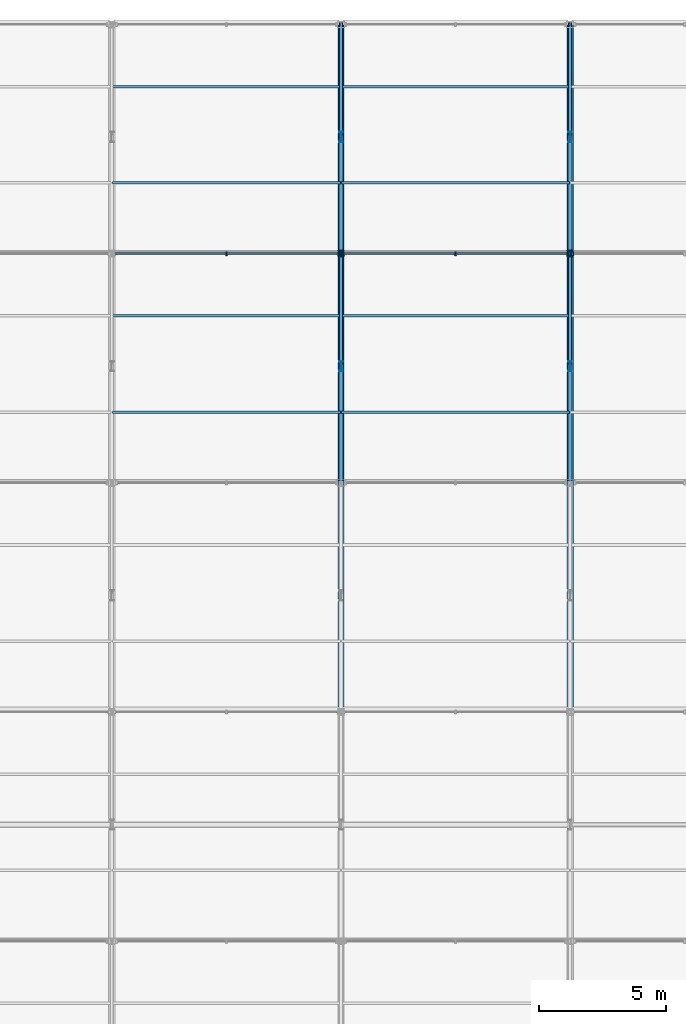
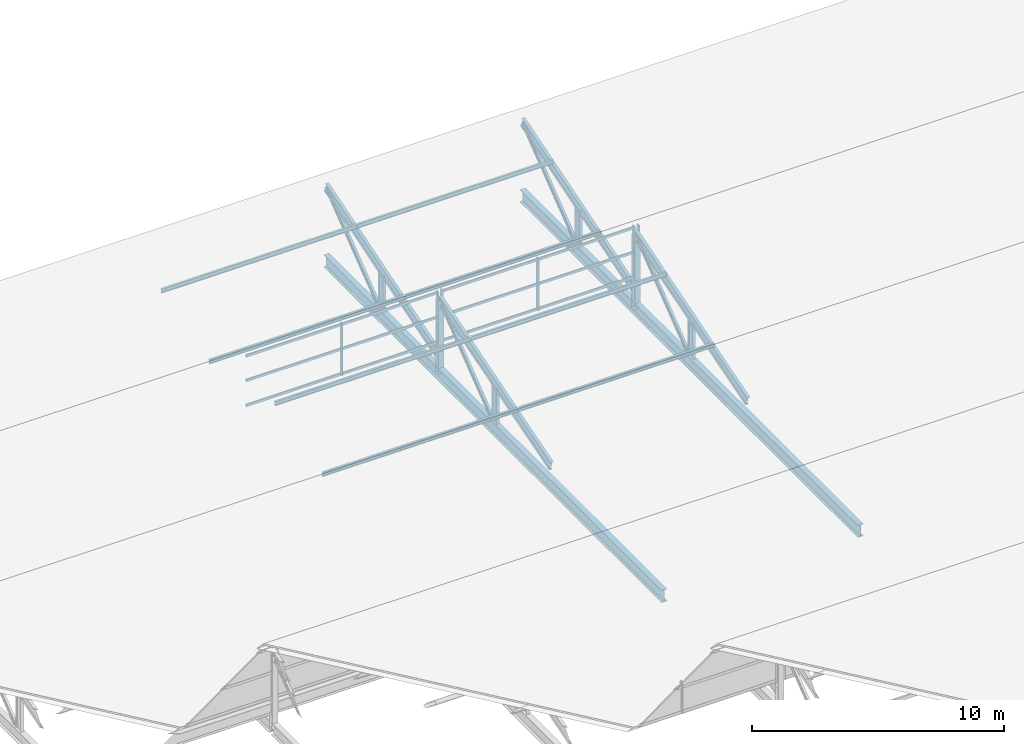
# One storey, part 95 of 163: 40 members, 2 beams, 3 elements without a shape of their own.
"""IFC4 building model written with IfcOpenShell, lengths in metres."""

import ifcopenshell
import ifcopenshell.guid

model = None  # the IFC model being written
_history = None  # IfcOwnerHistory: only IFC2X3 demands one
_inside = {}  # id of a spatial element -> (the spatial element, [elements in it])
_under = {}  # id of a project, library or spatial element -> (it, [spatial elements below it])
_declared = {}  # id of a project -> (the project, [libraries it declares])
_typed = {}  # id of a type object -> (the type object, [elements of that type])
_made_of = {}  # id of a material, layer set ... -> (it, [elements and type objects made of it])


def new_model(schema):
    """Start an empty IFC model of exactly this schema.

    Asked for "IFC4X3", IfcOpenShell would pick the latest addendum, in which some entities
    have other attributes; the version numbers below select the first issue.
    IFC2X3 requires an IfcOwnerHistory on every rooted entity: one is made here for all.
    """
    global model, _history
    if schema == "IFC4X3":
        model = ifcopenshell.file(schema_version=(4, 3, 0, 0))
    else:
        model = ifcopenshell.file(schema=schema)
    _inside.clear()
    _under.clear()
    _declared.clear()
    _typed.clear()
    _made_of.clear()
    _history = None
    if model.schema == "IFC2X3":
        org = make("IfcOrganization", Name="unknown")
        user = make(
            "IfcPersonAndOrganization",
            ThePerson=make("IfcPerson", FamilyName="unknown"),
            TheOrganization=org,
        )
        app = make(
            "IfcApplication",
            ApplicationDeveloper=org,
            Version="unknown",
            ApplicationFullName="unknown",
            ApplicationIdentifier="unknown",
        )
        _history = make(
            "IfcOwnerHistory",
            OwningUser=user,
            OwningApplication=app,
            ChangeAction="ADDED",
            CreationDate=0,
        )
    return model


def make(cls, **values):
    """One entity of the class cls with the attributes given. An attribute that is None is left unset."""
    return model.create_entity(
        cls, **{name: value for name, value in values.items() if value is not None}
    )


def rooted(cls, **values):
    """An entity with a GlobalId (a new one), such as an element, a storey or a relation."""
    return make(cls, GlobalId=ifcopenshell.guid.new(), OwnerHistory=_history, **values)


def si_unit(unit_type, name, prefix=None):
    """IfcSIUnit, for example si_unit("LENGTHUNIT", "METRE", prefix="MILLI")."""
    return make("IfcSIUnit", UnitType=unit_type, Prefix=prefix, Name=name)


def assignment(units):
    """IfcUnitAssignment: the units of a project."""
    return None if units is None else make("IfcUnitAssignment", Units=units)


def point(xyz):
    """IfcCartesianPoint."""
    return None if xyz is None else make("IfcCartesianPoint", Coordinates=xyz)


def direction(xyz):
    """IfcDirection."""
    return None if xyz is None else make("IfcDirection", DirectionRatios=xyz)


def frame(location, z_axis=None, x_axis=None):
    """IfcAxis2Placement3D, a coordinate frame: its origin and axes. An axis left out is left unset."""
    return make(
        "IfcAxis2Placement3D",
        Location=point(location),
        Axis=direction(z_axis),
        RefDirection=direction(x_axis),
    )


def frame_2d(location, x_axis=None):
    """IfcAxis2Placement2D, a coordinate frame in the plane: its origin and x axis."""
    return make(
        "IfcAxis2Placement2D", Location=point(location), RefDirection=direction(x_axis)
    )


def origin():
    """The frame at (0, 0, 0) with its axes left unset."""
    return frame((0.0, 0.0, 0.0))


def origin_2d():
    """The frame at (0, 0) in the plane with its x axis left unset."""
    return frame_2d((0.0, 0.0))


def place(relative_to, where):
    """IfcLocalPlacement: puts the frame where relative to a parent placement (None: the world)."""
    return make(
        "IfcLocalPlacement", PlacementRelTo=relative_to, RelativePlacement=where
    )


def context(
    kind, dimensions, precision=None, world=None, true_north=None, identifier=None
):
    """IfcGeometricRepresentationContext, for example the 3D "Model" context."""
    return make(
        "IfcGeometricRepresentationContext",
        ContextIdentifier=identifier,
        ContextType=kind,
        CoordinateSpaceDimension=dimensions,
        Precision=precision,
        WorldCoordinateSystem=world,
        TrueNorth=true_north,
    )


def subcontext(parent, identifier, kind, view, scale=None):
    """IfcGeometricRepresentationSubContext, for example "Body" below "Model"."""
    return make(
        "IfcGeometricRepresentationSubContext",
        ContextIdentifier=identifier,
        ContextType=kind,
        ParentContext=parent,
        TargetScale=scale,
        TargetView=view,
    )


def project(units=None, contexts=None):
    """IfcProject with its units and contexts."""
    return rooted(
        "IfcProject",
        Name="project",
        RepresentationContexts=contexts,
        UnitsInContext=assignment(units),
    )


def spatial(cls, under=None, at=None, **own):
    """A site, building, storey or space (cls), placed at a placement, below another one or the project."""
    s = rooted(cls, ObjectPlacement=at, **own)
    if under is not None:
        _under.setdefault(under.id(), (under, []))[1].append(s)
    return s


def profile(cls, at=None, kind="AREA", **sizes):
    """A parametric profile (cls). Its sizes go by their IFC names, for example OverallWidth=200.0."""
    return make(cls, ProfileType=kind, Position=at, **sizes)


def rectangle(**sizes):
    """IfcRectangleProfileDef."""
    return profile("IfcRectangleProfileDef", **sizes)


def i_section(**sizes):
    """IfcIShapeProfileDef."""
    return profile("IfcIShapeProfileDef", **sizes)


def extrude(swept, where, along, depth):
    """IfcExtrudedAreaSolid: the profile swept, set in the frame where, extruded along a direction by depth."""
    return make(
        "IfcExtrudedAreaSolid",
        SweptArea=swept,
        Position=where,
        ExtrudedDirection=direction(along),
        Depth=depth,
    )


def shape(context_of_items, identifier, shape_type, items):
    """IfcShapeRepresentation: the items that make up one representation, for example the "Body"."""
    return make(
        "IfcShapeRepresentation",
        ContextOfItems=context_of_items,
        RepresentationIdentifier=identifier,
        RepresentationType=shape_type,
        Items=items,
    )


def material(Name=None, Category=None):
    """IfcMaterial."""
    return make("IfcMaterial", Name=Name, Category=Category)


def material_profile(
    of_material, cross_section, Name=None, Category=None, Priority=None
):
    """IfcMaterialProfile: a cross section and its material."""
    return make(
        "IfcMaterialProfile",
        Name=Name,
        Material=of_material,
        Profile=cross_section,
        Priority=Priority,
        Category=Category,
    )


def profile_set(profiles, Name=None, composite=None):
    """IfcMaterialProfileSet."""
    return make(
        "IfcMaterialProfileSet",
        Name=Name,
        MaterialProfiles=profiles,
        CompositeProfile=composite,
    )


def made_of(thing, what):
    """Note that an element or type object is made of a material, layer set ...; save() writes the relation."""
    if what is not None:
        _made_of.setdefault(what.id(), (what, []))[1].append(thing)
    return thing


def type_object(cls, material=None, **own):
    """A type object (cls), such as IfcWallType, which elements share."""
    return made_of(rooted(cls, **own), material)


def element(
    cls,
    number,
    at=None,
    inside=None,
    cuts=None,
    type_object=None,
    material=None,
    context=None,
    identifier="Body",
    shape_type=None,
    held_by="IfcProductDefinitionShape",
    body=None,
    shapes=None,
    **own,
):
    """One element of the class cls, such as IfcWall. Its Tag is "e" and its number.

    at: its placement. inside: the storey or other place that contains it. cuts: it is an
    opening in that element (IfcRelVoidsElement). A single representation is given by context,
    identifier, shape_type and body (its items); several are given by shapes. held_by: the class
    of the entity that holds the representations. save() writes the other relations.
    """
    e = rooted(cls, Tag="e%d" % number, ObjectPlacement=at, **own)
    if body is not None:
        shapes = [shape(context, identifier, shape_type, body)]
    if shapes is not None:
        e.Representation = make(held_by, Representations=shapes)
    if inside is not None:
        _inside.setdefault(inside.id(), (inside, []))[1].append(e)
    if cuts is not None:
        rooted(
            "IfcRelVoidsElement", RelatingBuildingElement=cuts, RelatedOpeningElement=e
        )
    if type_object is not None:
        _typed.setdefault(type_object.id(), (type_object, []))[1].append(e)
    return made_of(e, material)


def aggregate(whole, parts):
    """IfcRelAggregates: a whole, such as a stair, and the parts it consists of."""
    return rooted("IfcRelAggregates", RelatingObject=whole, RelatedObjects=parts)


def save(model, path):
    """Write the relations noted so far, then the file.

    IfcRelAggregates (storeys below a building ...), IfcRelContainedInSpatialStructure (elements
    in a storey), IfcRelDefinesByType, IfcRelAssociatesMaterial and IfcRelDeclares: one each for
    every whole, place, type object, material and project.
    """
    for whole, parts in _under.values():
        aggregate(whole, parts)
    for where, things in _inside.values():
        rooted(
            "IfcRelContainedInSpatialStructure",
            RelatedElements=things,
            RelatingStructure=where,
        )
    for kind, things in _typed.values():
        rooted("IfcRelDefinesByType", RelatedObjects=things, RelatingType=kind)
    for what, things in _made_of.values():
        rooted("IfcRelAssociatesMaterial", RelatedObjects=things, RelatingMaterial=what)
    for by, libraries in _declared.values():
        rooted("IfcRelDeclares", RelatingContext=by, RelatedDefinitions=libraries)
    model.write(path)


model = new_model("IFC4")

# Units and contexts
model_context = context("Model", 3, precision=1e-05, world=origin(), true_north=direction((0.0, 1.0)))
body_context = subcontext(model_context, "Body", "Model", "MODEL_VIEW")
ifc_project = project(units=[si_unit("LENGTHUNIT", "METRE"), si_unit("AREAUNIT", "SQUARE_METRE"), si_unit("VOLUMEUNIT", "CUBIC_METRE"), si_unit("PLANEANGLEUNIT", "RADIAN"), si_unit("MASSUNIT", "GRAM", prefix="KILO")], contexts=[model_context])

# Site, building, storey
site_placement = place(None, origin())
site = spatial("IfcSite", under=ifc_project, at=site_placement, CompositionType="ELEMENT")
building_placement = place(site_placement, origin())
building = spatial("IfcBuilding", under=site, at=building_placement, Name="Tharagai Park Tramway Depot", CompositionType="ELEMENT")
storey_placement = place(building_placement, frame((0.0, 0.0, 8.39990234375)))
storey = spatial("IfcBuildingStorey", under=building, at=storey_placement, Name="L02", CompositionType="ELEMENT", Elevation=8.39990234375)

# Beams
ifc_material_1 = material(Name="Steel E350", Category="steel")
ifc_material_profile_1 = material_profile(ifc_material_1, i_section(OverallWidth=0.25, OverallDepth=0.60009765625, WebThickness=0.01171875, FlangeThickness=0.023681640625, FilletRadius=0.01708984375, at=origin_2d()), Name="ISWB 600")
ifc_profile_set_1 = profile_set([ifc_material_profile_1], Name="Steel E350")
beam_type = type_object("IfcBeamType", Name="BM-01", PredefinedType="BEAM", material=ifc_profile_set_1)
for number, where, z_axis, x_axis, name in (
    (1, (54.0, 117.080078125, -0.25), (0.0, 1.0, 0.0), (-1.0, 0.0, 0.0), "Sawtooth Truss Bottom Tie Girder BM-01"),
    (2, (63.0, 117.080078125, -0.25), (0.0, 1.0, 0.0), (-1.0, 0.0, 0.0), "Sawtooth Truss Bottom Tie Girder BM-01"),
):
    element("IfcBeam", number, at=place(storey_placement, frame(where, z_axis=z_axis, x_axis=x_axis)), inside=storey, type_object=beam_type, Name=name, PredefinedType="BEAM", context=body_context, shape_type="SweptSolid", body=[
        extrude(i_section(OverallWidth=0.25, OverallDepth=0.60009765625, WebThickness=0.01171875, FlangeThickness=0.023681640625, FilletRadius=0.01708984375, at=origin_2d()), origin(), (0.0, 0.0, 1.0), 26.83984375),
    ])

# Members
ifc_material_profile_2 = material_profile(ifc_material_1, i_section(OverallWidth=0.25, OverallDepth=0.25, WebThickness=0.0087890625, FlangeThickness=0.009765625, FilletRadius=0.010009765625, at=origin_2d()), Name="ISHB 250")
ifc_profile_set_2 = profile_set([ifc_material_profile_2], Name="Steel E350")
member_type_1 = type_object("IfcMemberType", Name="BR-01", PredefinedType="BRACE", material=ifc_profile_set_2)
for number, where, z_axis, x_axis, name in (
    (3, (54.0, 134.919921875, -0.25), (0.0, 0.0, 1.0), (1.0, 0.0, 0.0), "Sawtooth North Vertical Post BR-01"),
    (4, (63.0, 134.919921875, -0.25), (0.0, 0.0, 1.0), (1.0, 0.0, 0.0), "Sawtooth North Vertical Post BR-01"),
):
    element("IfcMember", number, at=place(storey_placement, frame(where, z_axis=z_axis, x_axis=x_axis)), inside=storey, type_object=member_type_1, Name=name, PredefinedType="BRACE", context=body_context, shape_type="SweptSolid", body=[
        extrude(i_section(OverallWidth=0.25, OverallDepth=0.25, WebThickness=0.0087890625, FlangeThickness=0.009765625, FilletRadius=0.010009765625, at=origin_2d()), origin(), (0.0, 0.0, 1.0), 3.55517578125),
    ])
ifc_material_profile_3 = material_profile(ifc_material_1, i_section(OverallWidth=0.110107421875, OverallDepth=0.22509765625, WebThickness=0.006591796875, FlangeThickness=0.01171875, FilletRadius=0.011962890625, at=origin_2d()), Name="ISMB 225")
ifc_profile_set_3 = profile_set([ifc_material_profile_3], Name="Steel E350")
member_type_2 = type_object("IfcMemberType", Name="BR-04", PredefinedType="BRACE", material=ifc_profile_set_3)
for number, where, z_axis, x_axis, name in (
    (5, (54.0, 130.64990234375, 0.0), (0.0, 0.790781596, 0.612098413188), (-1.0, 0.0, 0.0), "Sawtooth Truss Web Diagonal BR-04"),
    (6, (54.0, 139.64990234375, 0.0), (0.0, 0.790781596, 0.612098413188), (-1.0, 0.0, 0.0), "Sawtooth Truss Web Diagonal BR-04"),
    (7, (63.0, 130.64990234375, 0.0), (0.0, 0.790781596, 0.612098413188), (-1.0, 0.0, 0.0), "Sawtooth Truss Web Diagonal BR-04"),
    (8, (63.0, 139.64990234375, 0.0), (0.0, 0.790781596, 0.612098413188), (-1.0, 0.0, 0.0), "Sawtooth Truss Web Diagonal BR-04"),
):
    element("IfcMember", number, at=place(storey_placement, frame(where, z_axis=z_axis, x_axis=x_axis)), inside=storey, type_object=member_type_2, Name=name, PredefinedType="BRACE", context=body_context, shape_type="SweptSolid", body=[
        extrude(i_section(OverallWidth=0.110107421875, OverallDepth=0.22509765625, WebThickness=0.006591796875, FlangeThickness=0.01171875, FilletRadius=0.011962890625, at=origin_2d()), origin(), (0.0, 0.0, 1.0), 5.399658203125),
    ])

# Curtain wall, members
ifc_material_2 = material(Name="Anodised aluminium", Category="aluminium")
curtain_wall_type = type_object("IfcCurtainWallType", Name="CW-04", PredefinedType="NOTDEFINED", material=ifc_material_2)
curtain_wall_1_placement = place(storey_placement, origin())
curtain_wall_1 = element("IfcCurtainWall", 9, at=curtain_wall_1_placement, inside=storey, type_object=curtain_wall_type, Name="Sawtooth North-Light Clerestory CW-04", PredefinedType="NOTDEFINED")
ifc_material_profile_4 = material_profile(ifc_material_2, rectangle(XDim=0.06494140625, YDim=0.1201171875, at=origin_2d()), Name="ALU 65x120")
ifc_profile_set_4 = profile_set([ifc_material_profile_4], Name="Anodised aluminium")
member_type_3 = type_object("IfcMemberType", Name="CM-01", PredefinedType="USERDEFINED", material=ifc_profile_set_4)
member_1_placement = place(storey_placement, frame((45.114990234375, 134.919921875, 1.26513671875), z_axis=(1.0, 0.0, 0.0), x_axis=(0.0, 1.0, 0.0)))
member_1 = element("IfcMember", 10, at=member_1_placement, type_object=member_type_3, Name="Sawtooth North-Light Clerestory Transom 1.1", ObjectType="TRANSOM", PredefinedType="USERDEFINED", context=body_context, shape_type="SweptSolid", body=[
    extrude(rectangle(XDim=0.06494140625, YDim=0.1201171875, at=origin_2d()), origin(), (0.0, 0.0, 1.0), 4.3701171875),
])
member_2_placement = place(storey_placement, frame((45.114990234375, 134.919921875, 2.4736328125), z_axis=(1.0, 0.0, 0.0), x_axis=(0.0, 1.0, 0.0)))
member_2 = element("IfcMember", 11, at=member_2_placement, type_object=member_type_3, Name="Sawtooth North-Light Clerestory Transom 1.2", ObjectType="TRANSOM", PredefinedType="USERDEFINED", context=body_context, shape_type="SweptSolid", body=[
    extrude(rectangle(XDim=0.06494140625, YDim=0.1201171875, at=origin_2d()), origin(), (0.0, 0.0, 1.0), 4.3701171875),
])
member_3_placement = place(storey_placement, frame((45.114990234375, 134.919921875, 3.662353515625), z_axis=(1.0, 0.0, 0.0), x_axis=(0.0, 1.0, 0.0)))
member_3 = element("IfcMember", 12, at=member_3_placement, type_object=member_type_3, Name="Sawtooth North-Light Clerestory Transom 1.3", ObjectType="TRANSOM", PredefinedType="USERDEFINED", context=body_context, shape_type="SweptSolid", body=[
    extrude(rectangle(XDim=0.06494140625, YDim=0.1201171875, at=origin_2d()), origin(), (0.0, 0.0, 1.0), 4.3701171875),
])
member_4_placement = place(storey_placement, frame((49.514892578125, 134.919921875, 1.26513671875), z_axis=(1.0, 0.0, 0.0), x_axis=(0.0, 1.0, 0.0)))
member_4 = element("IfcMember", 13, at=member_4_placement, type_object=member_type_3, Name="Sawtooth North-Light Clerestory Transom 2.1", ObjectType="TRANSOM", PredefinedType="USERDEFINED", context=body_context, shape_type="SweptSolid", body=[
    extrude(rectangle(XDim=0.06494140625, YDim=0.1201171875, at=origin_2d()), origin(), (0.0, 0.0, 1.0), 4.3701171875),
])
member_5_placement = place(storey_placement, frame((49.514892578125, 134.919921875, 2.4736328125), z_axis=(1.0, 0.0, 0.0), x_axis=(0.0, 1.0, 0.0)))
member_5 = element("IfcMember", 14, at=member_5_placement, type_object=member_type_3, Name="Sawtooth North-Light Clerestory Transom 2.2", ObjectType="TRANSOM", PredefinedType="USERDEFINED", context=body_context, shape_type="SweptSolid", body=[
    extrude(rectangle(XDim=0.06494140625, YDim=0.1201171875, at=origin_2d()), origin(), (0.0, 0.0, 1.0), 4.3701171875),
])
member_6_placement = place(storey_placement, frame((49.514892578125, 134.919921875, 3.662353515625), z_axis=(1.0, 0.0, 0.0), x_axis=(0.0, 1.0, 0.0)))
member_6 = element("IfcMember", 15, at=member_6_placement, type_object=member_type_3, Name="Sawtooth North-Light Clerestory Transom 2.3", ObjectType="TRANSOM", PredefinedType="USERDEFINED", context=body_context, shape_type="SweptSolid", body=[
    extrude(rectangle(XDim=0.06494140625, YDim=0.1201171875, at=origin_2d()), origin(), (0.0, 0.0, 1.0), 4.3701171875),
])

curtain_wall_2_placement = place(storey_placement, origin())
curtain_wall_2 = element("IfcCurtainWall", 16, at=curtain_wall_2_placement, inside=storey, type_object=curtain_wall_type, Name="Sawtooth North-Light Clerestory CW-04", PredefinedType="NOTDEFINED")
member_7_placement = place(storey_placement, frame((54.114990234375, 134.919921875, 1.26513671875), z_axis=(1.0, 0.0, 0.0), x_axis=(0.0, 1.0, 0.0)))
member_7 = element("IfcMember", 17, at=member_7_placement, type_object=member_type_3, Name="Sawtooth North-Light Clerestory Transom 1.1", ObjectType="TRANSOM", PredefinedType="USERDEFINED", context=body_context, shape_type="SweptSolid", body=[
    extrude(rectangle(XDim=0.06494140625, YDim=0.1201171875, at=origin_2d()), origin(), (0.0, 0.0, 1.0), 4.3701171875),
])
member_8_placement = place(storey_placement, frame((54.114990234375, 134.919921875, 2.4736328125), z_axis=(1.0, 0.0, 0.0), x_axis=(0.0, 1.0, 0.0)))
member_8 = element("IfcMember", 18, at=member_8_placement, type_object=member_type_3, Name="Sawtooth North-Light Clerestory Transom 1.2", ObjectType="TRANSOM", PredefinedType="USERDEFINED", context=body_context, shape_type="SweptSolid", body=[
    extrude(rectangle(XDim=0.06494140625, YDim=0.1201171875, at=origin_2d()), origin(), (0.0, 0.0, 1.0), 4.3701171875),
])
member_9_placement = place(storey_placement, frame((54.114990234375, 134.919921875, 3.662353515625), z_axis=(1.0, 0.0, 0.0), x_axis=(0.0, 1.0, 0.0)))
member_9 = element("IfcMember", 19, at=member_9_placement, type_object=member_type_3, Name="Sawtooth North-Light Clerestory Transom 1.3", ObjectType="TRANSOM", PredefinedType="USERDEFINED", context=body_context, shape_type="SweptSolid", body=[
    extrude(rectangle(XDim=0.06494140625, YDim=0.1201171875, at=origin_2d()), origin(), (0.0, 0.0, 1.0), 4.3701171875),
])
member_10_placement = place(storey_placement, frame((58.514892578125, 134.919921875, 1.26513671875), z_axis=(1.0, 0.0, 0.0), x_axis=(0.0, 1.0, 0.0)))
member_10 = element("IfcMember", 20, at=member_10_placement, type_object=member_type_3, Name="Sawtooth North-Light Clerestory Transom 2.1", ObjectType="TRANSOM", PredefinedType="USERDEFINED", context=body_context, shape_type="SweptSolid", body=[
    extrude(rectangle(XDim=0.06494140625, YDim=0.1201171875, at=origin_2d()), origin(), (0.0, 0.0, 1.0), 4.3701171875),
])
member_11_placement = place(storey_placement, frame((58.514892578125, 134.919921875, 2.4736328125), z_axis=(1.0, 0.0, 0.0), x_axis=(0.0, 1.0, 0.0)))
member_11 = element("IfcMember", 21, at=member_11_placement, type_object=member_type_3, Name="Sawtooth North-Light Clerestory Transom 2.2", ObjectType="TRANSOM", PredefinedType="USERDEFINED", context=body_context, shape_type="SweptSolid", body=[
    extrude(rectangle(XDim=0.06494140625, YDim=0.1201171875, at=origin_2d()), origin(), (0.0, 0.0, 1.0), 4.3701171875),
])
member_12_placement = place(storey_placement, frame((58.514892578125, 134.919921875, 3.662353515625), z_axis=(1.0, 0.0, 0.0), x_axis=(0.0, 1.0, 0.0)))
member_12 = element("IfcMember", 22, at=member_12_placement, type_object=member_type_3, Name="Sawtooth North-Light Clerestory Transom 2.3", ObjectType="TRANSOM", PredefinedType="USERDEFINED", context=body_context, shape_type="SweptSolid", body=[
    extrude(rectangle(XDim=0.06494140625, YDim=0.1201171875, at=origin_2d()), origin(), (0.0, 0.0, 1.0), 4.3701171875),
])

# Member
ifc_material_profile_5 = material_profile(ifc_material_2, rectangle(XDim=0.06494140625, YDim=0.14990234375, at=origin_2d()), Name="ALU 65x150")
ifc_profile_set_5 = profile_set([ifc_material_profile_5], Name="Anodised aluminium")
member_type_4 = type_object("IfcMemberType", Name="CM-03", PredefinedType="MULLION", material=ifc_profile_set_5)
member_13_placement = place(storey_placement, frame((49.5, 134.919921875, 1.2001953125), z_axis=(0.0, 0.0, 1.0), x_axis=(1.0, 0.0, 0.0)))
member_13 = element("IfcMember", 23, at=member_13_placement, type_object=member_type_4, Name="Sawtooth North-Light Clerestory Mullion 2", PredefinedType="MULLION", context=body_context, shape_type="SweptSolid", body=[
    extrude(rectangle(XDim=0.06494140625, YDim=0.14990234375, at=origin_2d()), origin(), (0.0, 0.0, 1.0), 2.547119140625),
])

member_14_placement = place(storey_placement, frame((53.89990234375, 134.919921875, 1.2001953125), z_axis=(0.0, 0.0, 1.0), x_axis=(1.0, 0.0, 0.0)))
member_14 = element("IfcMember", 24, at=member_14_placement, type_object=member_type_4, Name="Sawtooth North-Light Clerestory Mullion 3", PredefinedType="MULLION", context=body_context, shape_type="SweptSolid", body=[
    extrude(rectangle(XDim=0.06494140625, YDim=0.14990234375, at=origin_2d()), origin(), (0.0, 0.0, 1.0), 2.547119140625),
])

aggregate(curtain_wall_1, [member_13, member_14, member_1, member_2, member_3, member_4, member_5, member_6])

member_15_placement = place(storey_placement, frame((54.10009765625, 134.919921875, 1.2001953125), z_axis=(0.0, 0.0, 1.0), x_axis=(1.0, 0.0, 0.0)))
member_15 = element("IfcMember", 25, at=member_15_placement, type_object=member_type_4, Name="Sawtooth North-Light Clerestory Mullion 1", PredefinedType="MULLION", context=body_context, shape_type="SweptSolid", body=[
    extrude(rectangle(XDim=0.06494140625, YDim=0.14990234375, at=origin_2d()), origin(), (0.0, 0.0, 1.0), 2.547119140625),
])

member_16_placement = place(storey_placement, frame((58.5, 134.919921875, 1.2001953125), z_axis=(0.0, 0.0, 1.0), x_axis=(1.0, 0.0, 0.0)))
member_16 = element("IfcMember", 26, at=member_16_placement, type_object=member_type_4, Name="Sawtooth North-Light Clerestory Mullion 2", PredefinedType="MULLION", context=body_context, shape_type="SweptSolid", body=[
    extrude(rectangle(XDim=0.06494140625, YDim=0.14990234375, at=origin_2d()), origin(), (0.0, 0.0, 1.0), 2.547119140625),
])

member_17_placement = place(storey_placement, frame((62.89990234375, 134.919921875, 1.2001953125), z_axis=(0.0, 0.0, 1.0), x_axis=(1.0, 0.0, 0.0)))
member_17 = element("IfcMember", 27, at=member_17_placement, type_object=member_type_4, Name="Sawtooth North-Light Clerestory Mullion 3", PredefinedType="MULLION", context=body_context, shape_type="SweptSolid", body=[
    extrude(rectangle(XDim=0.06494140625, YDim=0.14990234375, at=origin_2d()), origin(), (0.0, 0.0, 1.0), 2.547119140625),
])

aggregate(curtain_wall_2, [member_15, member_16, member_17, member_7, member_8, member_9, member_10, member_11, member_12])

# Curtain wall, member
curtain_wall_3_placement = place(storey_placement, origin())
curtain_wall_3 = element("IfcCurtainWall", 28, at=curtain_wall_3_placement, inside=storey, type_object=curtain_wall_type, Name="Sawtooth North-Light Clerestory CW-04", PredefinedType="NOTDEFINED")
member_18_placement = place(storey_placement, frame((63.10009765625, 134.919921875, 1.2001953125), z_axis=(0.0, 0.0, 1.0), x_axis=(1.0, 0.0, 0.0)))
member_18 = element("IfcMember", 29, at=member_18_placement, type_object=member_type_4, Name="Sawtooth North-Light Clerestory Mullion 1", PredefinedType="MULLION", context=body_context, shape_type="SweptSolid", body=[
    extrude(rectangle(XDim=0.06494140625, YDim=0.14990234375, at=origin_2d()), origin(), (0.0, 0.0, 1.0), 2.547119140625),
])
aggregate(curtain_wall_3, [member_18])

# Members
ifc_material_3 = material(Name="Steel E250", Category="steel")
ifc_material_profile_6 = material_profile(ifc_material_3, i_section(OverallWidth=0.10009765625, OverallDepth=0.199951171875, WebThickness=0.00537109375, FlangeThickness=0.00732421875, FilletRadius=0.009033203125, at=origin_2d()), Name="ISLB 200")
ifc_profile_set_6 = profile_set([ifc_material_profile_6], Name="Steel E250")
member_type_5 = type_object("IfcMemberType", Name="PR-03", PredefinedType="PURLIN", material=ifc_profile_set_6)
for number, where, z_axis, x_axis, name in (
    (30, (45.02001953125, 137.699951171875, 1.733154296875), (1.0, 0.0, 0.0), (0.0, 1.0, 0.0), "Sawtooth Roof Purlin PR-03"),
    (31, (45.02001953125, 141.47998046875, 2.87451171875), (1.0, 0.0, 0.0), (0.0, 1.0, 0.0), "Sawtooth Roof Purlin PR-03"),
    (32, (54.02001953125, 137.699951171875, 1.733154296875), (1.0, 0.0, 0.0), (0.0, 1.0, 0.0), "Sawtooth Roof Purlin PR-03"),
    (33, (54.02001953125, 141.47998046875, 2.87451171875), (1.0, 0.0, 0.0), (0.0, 1.0, 0.0), "Sawtooth Roof Purlin PR-03"),
):
    element("IfcMember", number, at=place(storey_placement, frame(where, z_axis=z_axis, x_axis=x_axis)), inside=storey, type_object=member_type_5, Name=name, PredefinedType="PURLIN", context=body_context, shape_type="SweptSolid", body=[
        extrude(i_section(OverallWidth=0.10009765625, OverallDepth=0.199951171875, WebThickness=0.00537109375, FlangeThickness=0.00732421875, FilletRadius=0.009033203125, at=origin_2d()), origin(), (0.0, 0.0, 1.0), 8.9599609375),
    ])
ifc_material_profile_7 = material_profile(ifc_material_3, i_section(OverallWidth=0.10009765625, OverallDepth=0.199951171875, WebThickness=0.005615234375, FlangeThickness=0.0107421875, FilletRadius=0.010986328125, at=origin_2d()), Name="ISMB 200")
ifc_profile_set_7 = profile_set([ifc_material_profile_7], Name="Steel E250")
member_type_6 = type_object("IfcMemberType", Name="PR-04", PredefinedType="PURLIN", material=ifc_profile_set_7)
for number, where, z_axis, x_axis, name in (
    (34, (45.02001953125, 128.699951171875, 1.733154296875), (1.0, 0.0, 0.0), (0.0, 1.0, 0.0), "Sawtooth Roof Purlin PR-04"),
    (35, (45.02001953125, 132.47998046875, 2.87451171875), (1.0, 0.0, 0.0), (0.0, 1.0, 0.0), "Sawtooth Roof Purlin PR-04"),
    (36, (54.02001953125, 128.699951171875, 1.733154296875), (1.0, 0.0, 0.0), (0.0, 1.0, 0.0), "Sawtooth Roof Purlin PR-04"),
    (37, (54.02001953125, 132.47998046875, 2.87451171875), (1.0, 0.0, 0.0), (0.0, 1.0, 0.0), "Sawtooth Roof Purlin PR-04"),
):
    element("IfcMember", number, at=place(storey_placement, frame(where, z_axis=z_axis, x_axis=x_axis)), inside=storey, type_object=member_type_6, Name=name, PredefinedType="PURLIN", context=body_context, shape_type="SweptSolid", body=[
        extrude(i_section(OverallWidth=0.10009765625, OverallDepth=0.199951171875, WebThickness=0.005615234375, FlangeThickness=0.0107421875, FilletRadius=0.010986328125, at=origin_2d()), origin(), (0.0, 0.0, 1.0), 8.9599609375),
    ])
ifc_material_profile_8 = material_profile(ifc_material_1, i_section(OverallWidth=0.14990234375, OverallDepth=0.449951171875, WebThickness=0.009521484375, FlangeThickness=0.017333984375, FilletRadius=0.014892578125, at=origin_2d()), Name="ISMB 450")
ifc_profile_set_8 = profile_set([ifc_material_profile_8], Name="Steel E350")
member_type_7 = type_object("IfcMemberType", Name="TC-05", PredefinedType="CHORD", material=ifc_profile_set_8)
for number, where, z_axis, x_axis, name in (
    (38, (54.0, 126.06005859375, 0.587890625), (0.0, 0.956231486327, 0.29261125159), (-1.0, 0.0, 0.0), "Sawtooth Top Chord TC-05"),
    (39, (54.0, 135.06005859375, 0.587890625), (0.0, 0.956231486327, 0.29261125159), (-1.0, 0.0, 0.0), "Sawtooth Top Chord TC-05"),
    (40, (63.0, 126.06005859375, 0.587890625), (0.0, 0.956231486327, 0.29261125159), (-1.0, 0.0, 0.0), "Sawtooth Top Chord TC-05"),
    (41, (63.0, 135.06005859375, 0.587890625), (0.0, 0.956231486327, 0.29261125159), (-1.0, 0.0, 0.0), "Sawtooth Top Chord TC-05"),
):
    element("IfcMember", number, at=place(storey_placement, frame(where, z_axis=z_axis, x_axis=x_axis)), inside=storey, type_object=member_type_7, Name=name, PredefinedType="CHORD", context=body_context, shape_type="SweptSolid", body=[
        extrude(i_section(OverallWidth=0.14990234375, OverallDepth=0.449951171875, WebThickness=0.009521484375, FlangeThickness=0.017333984375, FilletRadius=0.014892578125, at=origin_2d()), origin(), (0.0, 0.0, 1.0), 9.286376953125),
    ])
ifc_material_profile_9 = material_profile(ifc_material_1, i_section(OverallWidth=0.139892578125, OverallDepth=0.39990234375, WebThickness=0.0087890625, FlangeThickness=0.01611328125, FilletRadius=0.013916015625, at=origin_2d()), Name="ISMB 400")
ifc_profile_set_9 = profile_set([ifc_material_profile_9], Name="Steel E350")
member_type_8 = type_object("IfcMemberType", Name="TC-06", PredefinedType="CHORD", material=ifc_profile_set_9)
for number, where, z_axis, x_axis, name in (
    (42, (54.0, 130.5, -0.0498046875), (0.0, 0.0, 1.0), (1.0, 0.0, 0.0), "Sawtooth Mid-Tooth Strut TC-06"),
    (43, (54.0, 139.5, -0.0498046875), (0.0, 0.0, 1.0), (1.0, 0.0, 0.0), "Sawtooth Mid-Tooth Strut TC-06"),
    (44, (63.0, 130.5, -0.0498046875), (0.0, 0.0, 1.0), (1.0, 0.0, 0.0), "Sawtooth Mid-Tooth Strut TC-06"),
    (45, (63.0, 139.5, -0.0498046875), (0.0, 0.0, 1.0), (1.0, 0.0, 0.0), "Sawtooth Mid-Tooth Strut TC-06"),
):
    element("IfcMember", number, at=place(storey_placement, frame(where, z_axis=z_axis, x_axis=x_axis)), inside=storey, type_object=member_type_8, Name=name, PredefinedType="CHORD", context=body_context, shape_type="SweptSolid", body=[
        extrude(i_section(OverallWidth=0.139892578125, OverallDepth=0.39990234375, WebThickness=0.0087890625, FlangeThickness=0.01611328125, FilletRadius=0.013916015625, at=origin_2d()), origin(), (0.0, 0.0, 1.0), 1.846435546875),
    ])

save(model, "model.ifc")
